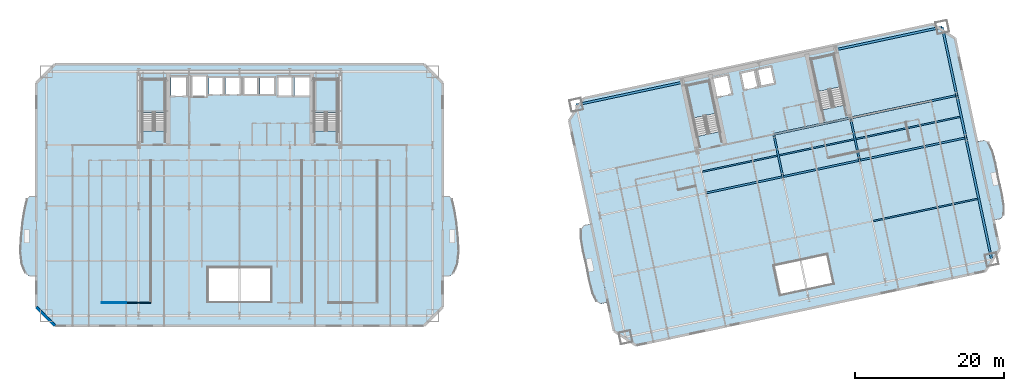
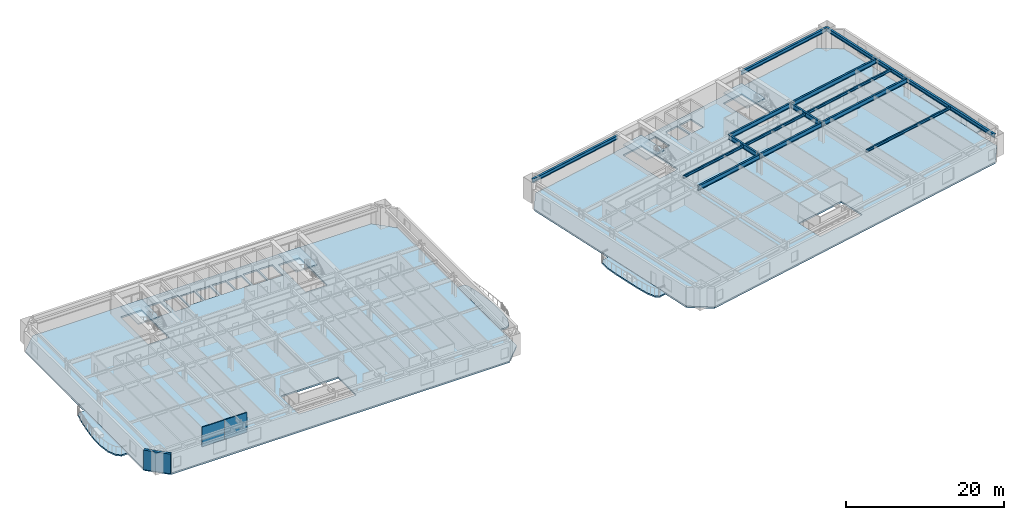
# One storey, part 4 of 17: 16 beams, 10 slabs, 3 walls, 4 elements without a shape of their own.
"""IFC4 building model written with IfcOpenShell, lengths in metres."""

from ifc_helpers import new_model, si_unit, direction, frame, frame_2d, origin, origin_2d, place, context, subcontext, project, spatial, polyline, rectangle, i_section, outline, extrude, material, layer, layer_set, material_profile, profile_set, type_object, element, aggregate, save


model = new_model("IFC4")

# Units and contexts
model_context = context("Model", 3, precision=1e-05, world=origin(), true_north=direction((0.0, 1.0)))
body_context = subcontext(model_context, "Body", "Model", "MODEL_VIEW")
ifc_project = project(units=[si_unit("LENGTHUNIT", "METRE"), si_unit("AREAUNIT", "SQUARE_METRE"), si_unit("VOLUMEUNIT", "CUBIC_METRE"), si_unit("PLANEANGLEUNIT", "RADIAN"), si_unit("MASSUNIT", "GRAM", prefix="KILO")], contexts=[model_context])

# Site, building, storey
site_placement = place(None, origin())
site = spatial("IfcSite", under=ifc_project, at=site_placement, CompositionType="ELEMENT")
building_placement = place(site_placement, origin())
building = spatial("IfcBuilding", under=site, at=building_placement, Name="Haevon Station Towers", CompositionType="ELEMENT")
storey_placement = place(building_placement, frame((0.0, 0.0, 37.199951171875)))
storey = spatial("IfcBuildingStorey", under=building, at=storey_placement, Name="L08", CompositionType="ELEMENT", Elevation=37.199951171875)

# Beams
ifc_material_1 = material(Name="Steel S355", Category="steel")
ifc_material_profile_1 = material_profile(ifc_material_1, i_section(OverallWidth=0.25, OverallDepth=0.699951171875, WebThickness=0.012939453125, FlangeThickness=0.02392578125, at=origin_2d()), Name="H-700x250x13x24")
ifc_profile_set_1 = profile_set([ifc_material_profile_1], Name="Steel S355")
beam_type_1 = type_object("IfcBeamType", Name="BM-G700", PredefinedType="BEAM", material=ifc_profile_set_1)
for number, where, z_axis, x_axis, name in (
    (1, (99.958251953125, 31.76904296875, 2.699951171875), (0.978146794194, 0.207915485254, 0.0), (-0.207915485254, 0.978146794194, 0.0), "BM-T2U-L08-02-02"),
    (2, (110.228759765625, 33.9521484375, 2.699951171875), (0.978146794194, 0.207915485254, 0.0), (-0.207915485254, 0.978146794194, 0.0), "BM-T2U-L08-02-03"),
):
    element("IfcBeam", number, at=place(storey_placement, frame(where, z_axis=z_axis, x_axis=x_axis)), inside=storey, type_object=beam_type_1, Name=name, PredefinedType="BEAM", context=body_context, shape_type="SweptSolid", body=[
        extrude(i_section(OverallWidth=0.25, OverallDepth=0.699951171875, WebThickness=0.012939453125, FlangeThickness=0.02392578125, at=origin_2d()), origin(), (0.0, 0.0, 1.0), 10.5),
    ])
beam_1_placement = place(storey_placement, frame((120.499267578125, 36.13525390625, 2.699951171875), z_axis=(0.978147548738, 0.207911935439, 0.0), x_axis=(-0.207911935439, 0.978147548738, 0.0)))
element("IfcBeam", 3, at=beam_1_placement, inside=storey, type_object=beam_type_1, Name="BM-T2U-L08-02-04", PredefinedType="BEAM", context=body_context, shape_type="SweptSolid", body=[
    extrude(i_section(OverallWidth=0.25, OverallDepth=0.699951171875, WebThickness=0.012939453125, FlangeThickness=0.02392578125, at=origin_2d()), origin(), (0.0, 0.0, 1.0), 14.550048828125),
])
beam_2_placement = place(storey_placement, frame((109.02294921875, 39.62548828125, 2.699951171875), z_axis=(0.978146794194, 0.207915485254, 0.0), x_axis=(-0.207915485254, 0.978146794194, 0.0)))
element("IfcBeam", 4, at=beam_2_placement, inside=storey, type_object=beam_type_1, Name="BM-T2U-L08-03-03", PredefinedType="BEAM", context=body_context, shape_type="SweptSolid", body=[
    extrude(i_section(OverallWidth=0.25, OverallDepth=0.699951171875, WebThickness=0.012939453125, FlangeThickness=0.02392578125, at=origin_2d()), origin(), (0.0, 0.0, 1.0), 10.5),
])
beam_3_placement = place(storey_placement, frame((119.29345703125, 41.80859375, 2.699951171875), z_axis=(0.978146823396, 0.207915347869, 0.0), x_axis=(-0.207915347869, 0.978146823396, 0.0)))
element("IfcBeam", 5, at=beam_3_placement, inside=storey, type_object=beam_type_1, Name="BM-T2U-L08-03-04", PredefinedType="BEAM", context=body_context, shape_type="SweptSolid", body=[
    extrude(i_section(OverallWidth=0.25, OverallDepth=0.699951171875, WebThickness=0.012939453125, FlangeThickness=0.02392578125, at=origin_2d()), origin(), (0.0, 0.0, 1.0), 14.5498046875),
])
for number, where, z_axis, x_axis, name in (
    (6, (110.228759765625, 33.9521484375, 2.699951171875), (-0.207896009217, 0.97815093383, 0.0), (-0.97815093383, -0.207896009217, 0.0), "BM-T2V-L08-03-02"),
    (7, (120.499267578125, 36.13525390625, 2.699951171875), (-0.207896009217, 0.97815093383, 0.0), (-0.97815093383, -0.207896009217, 0.0), "BM-T2V-L08-04-02"),
):
    element("IfcBeam", number, at=place(storey_placement, frame(where, z_axis=z_axis, x_axis=x_axis)), inside=storey, type_object=beam_type_1, Name=name, PredefinedType="BEAM", context=body_context, shape_type="SweptSolid", body=[
        extrude(i_section(OverallWidth=0.25, OverallDepth=0.699951171875, WebThickness=0.012939453125, FlangeThickness=0.02392578125, at=origin_2d()), origin(), (0.0, 0.0, 1.0), 5.800048828125),
    ])
ifc_material_profile_2 = material_profile(ifc_material_1, i_section(OverallWidth=0.199951171875, OverallDepth=0.39990234375, WebThickness=0.008056640625, FlangeThickness=0.012939453125, at=origin_2d()), Name="H-400x200x8x13")
ifc_profile_set_2 = profile_set([ifc_material_profile_2], Name="Steel S355")
beam_type_2 = type_object("IfcBeamType", Name="BM-J400", PredefinedType="JOIST", material=ifc_profile_set_2)
beam_4_placement = place(storey_placement, frame((122.337890625, 28.01513671875, 2.85009765625), z_axis=(0.978149367314, 0.207903379537, 0.0), x_axis=(-0.207903379537, 0.978149367314, 0.0)))
element("IfcBeam", 8, at=beam_4_placement, inside=storey, type_object=beam_type_2, Name="BM-T2J-L08-01-04", PredefinedType="JOIST", context=body_context, shape_type="SweptSolid", body=[
    extrude(i_section(OverallWidth=0.199951171875, OverallDepth=0.39990234375, WebThickness=0.008056640625, FlangeThickness=0.012939453125, at=origin_2d()), origin(), (0.0, 0.0, 1.0), 14.330078125),
])
for number, where, z_axis, x_axis, name in (
    (9, (99.462890625, 34.628662109375, 2.85009765625), (0.978150339653, 0.207898804801, 0.0), (-0.207898804801, 0.978150339653, 0.0), "BM-T2J-L08-02-02"),
    (10, (109.7333984375, 36.811767578125, 2.85009765625), (0.978150339653, 0.207898804801, 0.0), (-0.207898804801, 0.978150339653, 0.0), "BM-T2J-L08-02-03"),
):
    element("IfcBeam", number, at=place(storey_placement, frame(where, z_axis=z_axis, x_axis=x_axis)), inside=storey, type_object=beam_type_2, Name=name, PredefinedType="JOIST", context=body_context, shape_type="SweptSolid", body=[
        extrude(i_section(OverallWidth=0.199951171875, OverallDepth=0.39990234375, WebThickness=0.008056640625, FlangeThickness=0.012939453125, at=origin_2d()), origin(), (0.0, 0.0, 1.0), 10.280029296875),
    ])
beam_5_placement = place(storey_placement, frame((120.00390625, 38.994873046875, 2.85009765625), z_axis=(0.978149367314, 0.207903379537, 0.0), x_axis=(-0.207903379537, 0.978149367314, 0.0)))
element("IfcBeam", 11, at=beam_5_placement, inside=storey, type_object=beam_type_2, Name="BM-T2J-L08-02-04", PredefinedType="JOIST", context=body_context, shape_type="SweptSolid", body=[
    extrude(i_section(OverallWidth=0.199951171875, OverallDepth=0.39990234375, WebThickness=0.008056640625, FlangeThickness=0.012939453125, at=origin_2d()), origin(), (0.0, 0.0, 1.0), 14.330078125),
])
ifc_material_profile_3 = material_profile(ifc_material_1, i_section(OverallWidth=0.300048828125, OverallDepth=0.587890625, WebThickness=0.011962890625, FlangeThickness=0.02001953125, at=origin_2d()), Name="H-588x300x12x20")
ifc_profile_set_3 = profile_set([ifc_material_profile_3], Name="Steel S355")
beam_type_3 = type_object("IfcBeamType", Name="BM-SP588", PredefinedType="SPANDREL", material=ifc_profile_set_3)
beam_6_placement = place(storey_placement, frame((82.576416015625, 43.56298828125, 2.756103515625), z_axis=(0.978146823396, 0.207915347869, 0.0), x_axis=(-0.207915347869, 0.978146823396, 0.0)))
element("IfcBeam", 12, at=beam_6_placement, inside=storey, type_object=beam_type_3, Name="BM-T2U-L08-04-01", PredefinedType="SPANDREL", context=body_context, shape_type="SweptSolid", body=[
    extrude(i_section(OverallWidth=0.300048828125, OverallDepth=0.587890625, WebThickness=0.011962890625, FlangeThickness=0.02001953125, at=origin_2d()), origin(), (0.0, 0.0, 1.0), 14.5498046875),
])
beam_7_placement = place(storey_placement, frame((117.349365234375, 50.954345703125, 2.756103515625), z_axis=(0.978150960994, 0.207895881409, 0.0), x_axis=(-0.207895881409, 0.978150960994, 0.0)))
element("IfcBeam", 13, at=beam_7_placement, inside=storey, type_object=beam_type_3, Name="BM-T2U-L08-04-04", PredefinedType="SPANDREL", context=body_context, shape_type="SweptSolid", body=[
    extrude(i_section(OverallWidth=0.300048828125, OverallDepth=0.587890625, WebThickness=0.011962890625, FlangeThickness=0.02001953125, at=origin_2d()), origin(), (0.0, 0.0, 1.0), 14.550048828125),
])
beam_8_placement = place(storey_placement, frame((138.193115234375, 22.874267578125, 2.756103515625), z_axis=(-0.20790856066, 0.978148266064, 0.0), x_axis=(-0.978148266064, -0.20790856066, 0.0)))
element("IfcBeam", 14, at=beam_8_placement, inside=storey, type_object=beam_type_3, Name="BM-T2V-L08-05-01", PredefinedType="SPANDREL", context=body_context, shape_type="SweptSolid", body=[
    extrude(i_section(OverallWidth=0.300048828125, OverallDepth=0.587890625, WebThickness=0.011962890625, FlangeThickness=0.02001953125, at=origin_2d()), origin(), (0.0, 0.0, 1.0), 16.64990234375),
])
beam_9_placement = place(storey_placement, frame((134.7314453125, 39.160400390625, 2.756103515625), z_axis=(-0.207936282142, 0.978142373363, 0.0), x_axis=(-0.978142373363, -0.207936282142, 0.0)))
element("IfcBeam", 15, at=beam_9_placement, inside=storey, type_object=beam_type_3, Name="BM-T2V-L08-05-02", PredefinedType="SPANDREL", context=body_context, shape_type="SweptSolid", body=[
    extrude(i_section(OverallWidth=0.300048828125, OverallDepth=0.587890625, WebThickness=0.011962890625, FlangeThickness=0.02001953125, at=origin_2d()), origin(), (0.0, 0.0, 1.0), 5.800048828125),
])
beam_10_placement = place(storey_placement, frame((133.525390625, 44.833740234375, 2.756103515625), z_axis=(-0.207902477038, 0.978149559138, 0.0), x_axis=(-0.978149559138, -0.207902477038, 0.0)))
element("IfcBeam", 16, at=beam_10_placement, inside=storey, type_object=beam_type_3, Name="BM-T2V-L08-05-03", PredefinedType="SPANDREL", context=body_context, shape_type="SweptSolid", body=[
    extrude(i_section(OverallWidth=0.300048828125, OverallDepth=0.587890625, WebThickness=0.011962890625, FlangeThickness=0.02001953125, at=origin_2d()), origin(), (0.0, 0.0, 1.0), 9.349853515625),
])

# Slabs
ifc_material_2 = material(Name="Concrete C40/50", Category="concrete")
ifc_layer_1 = layer(ifc_material_2, 0.219970703125)
ifc_layer_set_1 = layer_set([ifc_layer_1], Name="Concrete C40/50")
slab_type_1 = type_object("IfcSlabType", Name="SL-BALC220", PredefinedType="FLOOR", material=ifc_layer_set_1)
slab_1_placement = place(storey_placement, frame((0.0, 0.0, -0.219970703125)))
element("IfcSlab", 17, at=slab_1_placement, inside=storey, type_object=slab_type_1, Name="Tower 1 L08 West SCALLOPED BALCONY", PredefinedType="FLOOR", context=body_context, shape_type="SweptSolid", body=[
    extrude(outline(polyline([(10.294921875, 31.39990234375), (9.4130859375, 31.39990234375), (9.06201171875, 30.989013671875), (8.762451171875, 29.818359375), (8.459228515625, 28.06640625), (8.195068359375, 26.0), (8.1162109375, 23.93359375), (8.341064453125, 22.181640625), (8.831787109375, 21.010986328125), (9.4130859375, 20.60009765625), (10.294921875, 20.60009765625), (10.294921875, 31.39990234375)])), origin(), (0.0, 0.0, 1.0), 0.219970703125),
])
slab_2_placement = place(storey_placement, frame((0.0, 0.0, -0.219970703125)))
element("IfcSlab", 18, at=slab_2_placement, inside=storey, type_object=slab_type_1, Name="Tower 1 L08 East SCALLOPED BALCONY", PredefinedType="FLOOR", context=body_context, shape_type="SweptSolid", body=[
    extrude(outline(polyline([(64.705078125, 20.60009765625), (65.5869140625, 20.60009765625), (66.168212890625, 21.010986328125), (66.658935546875, 22.181640625), (66.8837890625, 23.93359375), (66.804931640625, 26.0), (66.540771484375, 28.06640625), (66.237548828125, 29.818359375), (65.93798828125, 30.989013671875), (65.5869140625, 31.39990234375), (64.705078125, 31.39990234375), (64.705078125, 20.60009765625)])), origin(), (0.0, 0.0, 1.0), 0.219970703125),
])
slab_3_placement = place(storey_placement, frame((0.0, 0.0, -0.219970703125)))
element("IfcSlab", 19, at=slab_3_placement, inside=storey, type_object=slab_type_1, Name="Tower 2 L08 West SCALLOPED BALCONY", PredefinedType="FLOOR", context=body_context, shape_type="SweptSolid", body=[
    extrude(outline(polyline([(84.567138671875, 27.6796875), (83.60009765625, 27.474365234375), (83.22119140625, 26.973388671875), (83.19091796875, 25.770263671875), (83.464599609375, 24.037353515625), (83.884033203125, 22.013916015625), (84.32373046875, 19.994873046875), (84.778564453125, 18.300537109375), (85.2958984375, 17.213623046875), (85.845703125, 16.91015625), (86.8125, 17.11572265625), (84.567138671875, 27.6796875)])), origin(), (0.0, 0.0, 1.0), 0.219970703125),
])
slab_4_placement = place(storey_placement, frame((0.0, 0.0, -0.219970703125)))
element("IfcSlab", 20, at=slab_4_placement, inside=storey, type_object=slab_type_1, Name="Tower 2 L08 East SCALLOPED BALCONY", PredefinedType="FLOOR", context=body_context, shape_type="SweptSolid", body=[
    extrude(outline(polyline([(138.468505859375, 28.095703125), (139.435546875, 28.30126953125), (139.814453125, 28.802001953125), (139.844970703125, 30.005126953125), (139.571044921875, 31.738037109375), (139.151611328125, 33.761474609375), (138.7119140625, 35.780517578125), (138.257080078125, 37.47509765625), (137.739990234375, 38.561767578125), (137.190185546875, 38.865234375), (136.22314453125, 38.65966796875), (138.468505859375, 28.095703125)])), origin(), (0.0, 0.0, 1.0), 0.219970703125),
])

# Stair, slab
stair_type = type_object("IfcStairType", Name="STR-DL1450", PredefinedType="USERDEFINED", material=ifc_material_2)
stair_1_placement = place(storey_placement, origin())
stair_1 = element("IfcStair", 21, at=stair_1_placement, inside=storey, type_object=stair_type, Name="L08 Escape Stair ST1", ObjectType="TWO_RETURN_STAIR", PredefinedType="USERDEFINED")
ifc_layer_2 = layer(ifc_material_2, 0.199951171875)
ifc_layer_set_2 = layer_set([ifc_layer_2], Name="Concrete C40/50")
slab_type_2 = type_object("IfcSlabType", Name="SL-LND200", PredefinedType="LANDING", material=ifc_layer_set_2)
slab_5_placement = place(storey_placement, frame((0.0, 0.0, 1.449951171875)))
slab_5 = element("IfcSlab", 22, at=slab_5_placement, type_object=slab_type_2, Name="L08 ST1 Half Landing 1", PredefinedType="LANDING", context=body_context, shape_type="SweptSolid", body=[
    extrude(outline(polyline([(27.580078125, 42.56396484375), (27.580078125, 47.0), (24.47998046875, 47.0), (24.47998046875, 42.56396484375), (27.580078125, 42.56396484375)])), origin(), (0.0, 0.0, 1.0), 0.2001953125),
])
aggregate(stair_1, [slab_5])

stair_2_placement = place(storey_placement, origin())
stair_2 = element("IfcStair", 23, at=stair_2_placement, inside=storey, type_object=stair_type, Name="L08 Escape Stair ST2", ObjectType="TWO_RETURN_STAIR", PredefinedType="USERDEFINED")
slab_6_placement = place(storey_placement, frame((0.0, 0.0, 1.449951171875)))
slab_6 = element("IfcSlab", 24, at=slab_6_placement, type_object=slab_type_2, Name="L08 ST2 Half Landing 1", PredefinedType="LANDING", context=body_context, shape_type="SweptSolid", body=[
    extrude(outline(polyline([(50.6201171875, 42.56396484375), (50.6201171875, 47.0), (47.52001953125, 47.0), (47.52001953125, 42.56396484375), (50.6201171875, 42.56396484375)])), origin(), (0.0, 0.0, 1.0), 0.2001953125),
])
aggregate(stair_2, [slab_6])

stair_3_placement = place(storey_placement, origin())
stair_3 = element("IfcStair", 25, at=stair_3_placement, inside=storey, type_object=stair_type, Name="L08 Escape Stair ST3", ObjectType="TWO_RETURN_STAIR", PredefinedType="USERDEFINED")
slab_7_placement = place(storey_placement, frame((0.0, 0.0, 1.449951171875)))
slab_7 = element("IfcSlab", 26, at=slab_7_placement, type_object=slab_type_2, Name="L08 ST3 Half Landing 1", PredefinedType="LANDING", context=body_context, shape_type="SweptSolid", body=[
    extrude(outline(polyline([(101.2880859375, 42.44287109375), (100.36572265625, 46.781982421875), (97.33349609375, 46.137451171875), (98.255859375, 41.79833984375), (101.2880859375, 42.44287109375)])), origin(), (0.0, 0.0, 1.0), 0.2001953125),
])
aggregate(stair_3, [slab_7])

stair_4_placement = place(storey_placement, origin())
stair_4 = element("IfcStair", 27, at=stair_4_placement, inside=storey, type_object=stair_type, Name="L08 Escape Stair ST4", ObjectType="TWO_RETURN_STAIR", PredefinedType="USERDEFINED")
slab_8_placement = place(storey_placement, frame((0.0, 0.0, 1.449951171875)))
slab_8 = element("IfcSlab", 28, at=slab_8_placement, type_object=slab_type_2, Name="L08 ST4 Half Landing 1", PredefinedType="LANDING", context=body_context, shape_type="SweptSolid", body=[
    extrude(outline(polyline([(117.975341796875, 45.989990234375), (117.052978515625, 50.328857421875), (114.020751953125, 49.684326171875), (114.943115234375, 45.345458984375), (117.975341796875, 45.989990234375)])), origin(), (0.0, 0.0, 1.0), 0.2001953125),
])
aggregate(stair_4, [slab_8])

# Slabs
ifc_layer_3 = layer(ifc_material_2, 0.25)
ifc_layer_set_3 = layer_set([ifc_layer_3], Name="Concrete C40/50")
slab_type_3 = type_object("IfcSlabType", Name="SL-TW250", PredefinedType="FLOOR", material=ifc_layer_set_3)
slab_9_placement = place(storey_placement, frame((0.0, 0.0, -0.25)))
element("IfcSlab", 29, at=slab_9_placement, inside=storey, type_object=slab_type_3, Name="SL-T1-L08", PredefinedType="FLOOR", context=body_context, shape_type="SweptSolid", body=[
    extrude(outline(polyline([(12.800048828125, 14.0), (62.199951171875, 14.0), (64.699951171875, 16.5), (64.699951171875, 46.5), (62.199951171875, 49.0), (12.800048828125, 49.0), (10.300048828125, 46.5), (10.300048828125, 16.5), (12.800048828125, 14.0)]), holes=[polyline([(27.580078125, 40.055908203125), (27.580078125, 47.0), (24.47998046875, 47.0), (24.47998046875, 40.055908203125), (27.580078125, 40.055908203125)]), polyline([(50.6201171875, 40.055908203125), (50.6201171875, 47.0), (47.52001953125, 47.0), (47.52001953125, 40.055908203125), (50.6201171875, 40.055908203125)]), polyline([(28.300048828125, 44.699951171875), (30.5, 44.699951171875), (30.5, 47.39990234375), (28.300048828125, 47.39990234375), (28.300048828125, 44.699951171875)]), polyline([(31.050048828125, 44.60009765625), (33.14990234375, 44.60009765625), (33.14990234375, 47.5), (31.050048828125, 47.5), (31.050048828125, 44.60009765625)]), polyline([(33.39990234375, 44.89990234375), (35.39990234375, 44.89990234375), (35.39990234375, 47.300048828125), (33.39990234375, 47.300048828125), (33.39990234375, 44.89990234375)]), polyline([(35.64990234375, 44.89990234375), (37.64990234375, 44.89990234375), (37.64990234375, 47.300048828125), (35.64990234375, 47.300048828125), (35.64990234375, 44.89990234375)]), polyline([(38.0, 44.89990234375), (40.0, 44.89990234375), (40.0, 47.300048828125), (38.0, 47.300048828125), (38.0, 44.89990234375)]), polyline([(40.25, 44.89990234375), (42.25, 44.89990234375), (42.25, 47.300048828125), (40.25, 47.300048828125), (40.25, 44.89990234375)]), polyline([(42.60009765625, 44.699951171875), (44.60009765625, 44.699951171875), (44.60009765625, 47.39990234375), (42.60009765625, 47.39990234375), (42.60009765625, 44.699951171875)]), polyline([(44.85009765625, 44.699951171875), (46.85009765625, 44.699951171875), (46.85009765625, 47.39990234375), (44.85009765625, 47.39990234375), (44.85009765625, 44.699951171875)]), polyline([(33.300048828125, 17.199951171875), (41.699951171875, 17.199951171875), (41.699951171875, 21.800048828125), (33.300048828125, 21.800048828125), (33.300048828125, 17.199951171875)])]), origin(), (0.0, 0.0, 1.0), 0.25),
])
slab_10_placement = place(storey_placement, frame((0.0, 0.0, -0.25)))
element("IfcSlab", 30, at=slab_10_placement, inside=storey, type_object=slab_type_3, Name="SL-T2-L08", PredefinedType="FLOOR", context=body_context, shape_type="SweptSolid", body=[
    extrude(outline(polyline([(90.593505859375, 11.37646484375), (137.348876953125, 21.314697265625), (139.2744140625, 24.27978515625), (133.28662109375, 52.450439453125), (130.321533203125, 54.3759765625), (83.566162109375, 44.43798828125), (81.640380859375, 41.47265625), (87.62841796875, 13.302001953125), (90.593505859375, 11.37646484375)]), holes=[polyline([(101.8095703125, 39.98974609375), (100.36572265625, 46.781982421875), (97.33349609375, 46.137451171875), (98.77734375, 39.34521484375), (101.8095703125, 39.98974609375)]), polyline([(118.496826171875, 43.53662109375), (117.052978515625, 50.328857421875), (114.020751953125, 49.684326171875), (115.464599609375, 42.89208984375), (118.496826171875, 43.53662109375)]), polyline([(101.43212890625, 44.554931640625), (103.486328125, 44.99169921875), (102.9248046875, 47.632568359375), (100.870849609375, 47.196044921875), (101.43212890625, 44.554931640625)]), polyline([(105.009765625, 45.519775390625), (106.966064453125, 45.935791015625), (106.467041015625, 48.283203125), (104.5107421875, 47.867431640625), (105.009765625, 45.519775390625)]), polyline([(107.259521484375, 45.998046875), (109.2158203125, 46.413818359375), (108.716796875, 48.761474609375), (106.760498046875, 48.345703125), (107.259521484375, 45.998046875)]), polyline([(109.9091796875, 18.140380859375), (116.951904296875, 19.63720703125), (116.120361328125, 23.5498046875), (109.07763671875, 22.052978515625), (109.9091796875, 18.140380859375)])]), origin(), (0.0, 0.0, 1.0), 0.25),
])

# Walls
ifc_material_3 = material(Name="Precast concrete C45/55", Category="concrete")
ifc_layer_4 = layer(ifc_material_3, 0.340087890625)
ifc_layer_set_4 = layer_set([ifc_layer_4], Name="Precast concrete C45/55")
wall_type_1 = type_object("IfcWallType", Name="WL-EXT-PIER340", PredefinedType="SOLIDWALL", material=ifc_layer_set_4)
wall_1_placement = place(storey_placement, frame((12.800048828125, 14.0, 0.0), z_axis=(0.0, 0.0, 1.0), x_axis=(-0.707106781187, 0.707106781187, 0.0)))
element("IfcWall", 31, at=wall_1_placement, inside=storey, type_object=wall_type_1, Name="WL-T1-L08-SWC", PredefinedType="SOLIDWALL", context=body_context, shape_type="SweptSolid", body=[
    extrude(rectangle(XDim=3.53564453125, YDim=0.340087890625, at=frame_2d((1.767822265625, 0.0))), origin(), (0.0, 0.0, 1.0), 3.030029296875),
])
ifc_material_4 = material(Name="Gypsum board on steel stud", Category="steel")
ifc_layer_5 = layer(ifc_material_4, 0.125)
ifc_layer_set_5 = layer_set([ifc_layer_5], Name="Gypsum board on steel stud")
wall_type_2 = type_object("IfcWallType", Name="WL-PRT125", PredefinedType="PARTITIONING", material=ifc_layer_set_5)
wall_2_placement = place(storey_placement, frame((19.080078125, 17.10009765625, 0.0), z_axis=(0.0, 0.0, 1.0), x_axis=(1.0, 0.0, 0.0)))
element("IfcWall", 32, at=wall_2_placement, inside=storey, type_object=wall_type_2, Name="WL-T1PT-L08-11", PredefinedType="PARTITIONING", context=body_context, shape_type="SweptSolid", body=[
    extrude(rectangle(XDim=3.27001953125, YDim=0.125, at=frame_2d((1.635009765625, 0.0))), origin(), (0.0, 0.0, 1.0), 3.030029296875),
])
ifc_layer_6 = layer(ifc_material_4, 0.139892578125)
ifc_layer_set_6 = layer_set([ifc_layer_6], Name="Gypsum board on steel stud")
wall_type_3 = type_object("IfcWallType", Name="WL-PRT140", PredefinedType="PARTITIONING", material=ifc_layer_set_6)
wall_3_placement = place(storey_placement, frame((22.35009765625, 17.10009765625, 0.0), z_axis=(0.0, 0.0, 1.0), x_axis=(1.0, 0.0, 0.0)))
element("IfcWall", 33, at=wall_3_placement, inside=storey, type_object=wall_type_3, Name="WL-T1PT-L08-14", PredefinedType="PARTITIONING", context=body_context, shape_type="SweptSolid", body=[
    extrude(rectangle(XDim=3.27001953125, YDim=0.139892578125, at=frame_2d((1.635009765625, 0.0))), origin(), (0.0, 0.0, 1.0), 3.030029296875),
])

save(model, "model.ifc")
